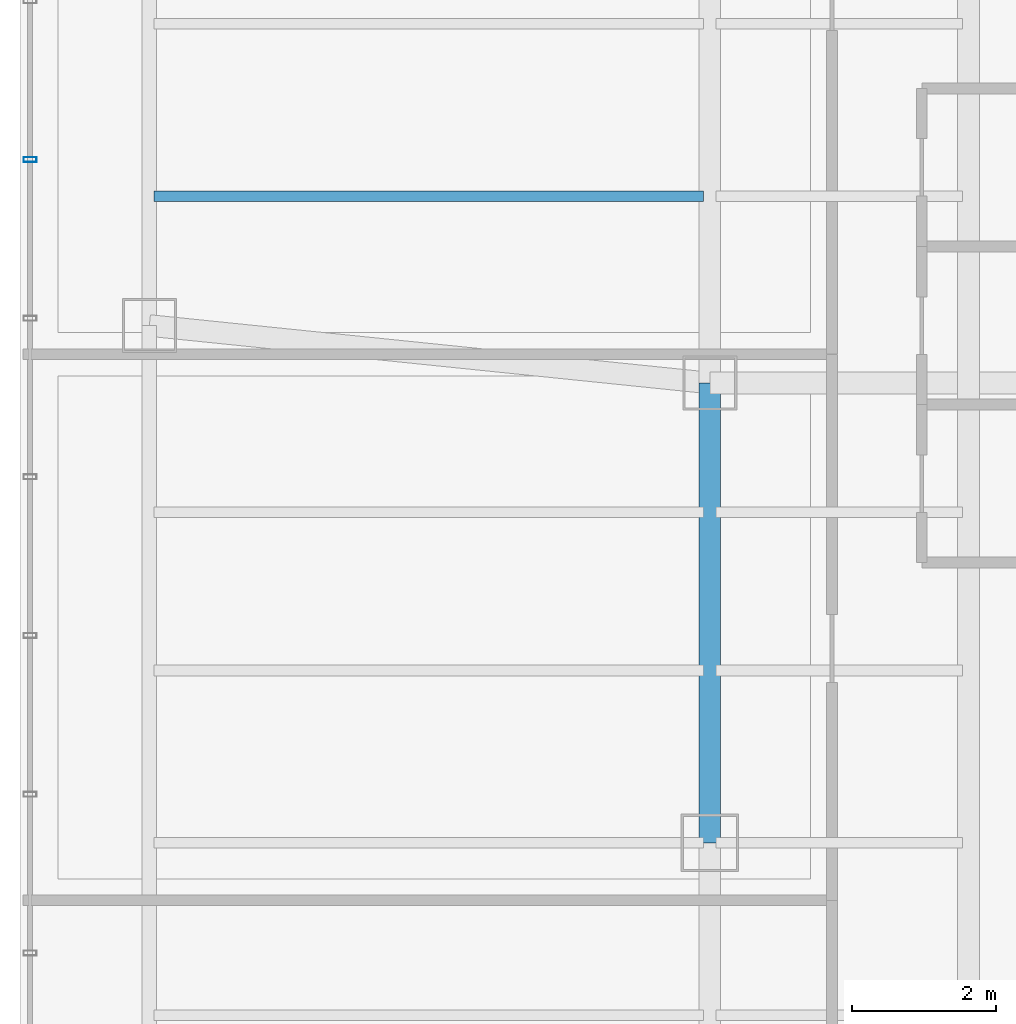
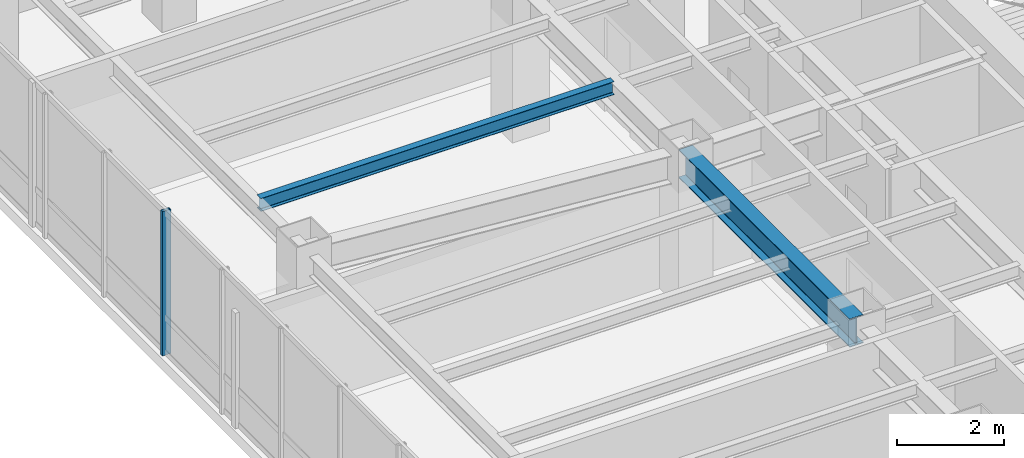
# One storey, part 11 of 29: 2 beams, 1 member, 1 element without a shape of its own.
"""IFC4 building model written with IfcOpenShell, lengths in metres."""

from ifc_helpers import new_model, si_unit, direction, frame, origin, origin_2d, place, context, subcontext, project, spatial, hollow_rectangle, i_section, extrude, material, layer, layer_set, material_profile, profile_set, type_object, element, aggregate, save


model = new_model("IFC4")

# Units and contexts
model_context = context("Model", 3, precision=1e-05, world=origin(), true_north=direction((0.0, 1.0)))
body_context = subcontext(model_context, "Body", "Model", "MODEL_VIEW")
ifc_project = project(units=[si_unit("LENGTHUNIT", "METRE"), si_unit("AREAUNIT", "SQUARE_METRE"), si_unit("VOLUMEUNIT", "CUBIC_METRE"), si_unit("PLANEANGLEUNIT", "RADIAN"), si_unit("MASSUNIT", "GRAM", prefix="KILO")], contexts=[model_context])

# Site, building, storey
site_placement = place(None, origin())
site = spatial("IfcSite", under=ifc_project, at=site_placement, CompositionType="ELEMENT")
building_placement = place(site_placement, origin())
building = spatial("IfcBuilding", under=site, at=building_placement, Name="Hatsunagi Terrace Concourse", CompositionType="ELEMENT")
storey_placement = place(building_placement, frame((0.0, 0.0, 178.050048828125)))
storey = spatial("IfcBuildingStorey", under=building, at=storey_placement, Name="L47", CompositionType="ELEMENT", Elevation=178.050048828125)

# Curtain wall, member
ifc_material_1 = material(Name="Anodised Aluminium Alloy 6063-T5", Category="aluminium")
ifc_layer = layer(ifc_material_1, 0.199951171875)
ifc_layer_set = layer_set([ifc_layer], Name="OfficeZone1_CW03")
curtain_wall_type = type_object("IfcCurtainWallType", Name="OfficeZone1_CW03", PredefinedType="NOTDEFINED", material=ifc_layer_set)
curtain_wall_placement = place(storey_placement, origin())
curtain_wall = element("IfcCurtainWall", 1, at=curtain_wall_placement, inside=storey, type_object=curtain_wall_type, Name="Unitised Curtain Wall CW-03 CW-L47-09", PredefinedType="NOTDEFINED")
ifc_material_2 = material(Name="Anodised Aluminium Alloy 6063-T5", Category="aluminium")
ifc_material_profile_1 = material_profile(ifc_material_2, hollow_rectangle(XDim=0.070068359375, YDim=0.179931640625, WallThickness=0.00390625, at=origin_2d()), Name="ALU-MUL-180x70x4")
ifc_profile_set_1 = profile_set([ifc_material_profile_1], Name="Anodised Aluminium Alloy 6063-T5")
member_type = type_object("IfcMemberType", Name="CurtainWallMullion_180x70", PredefinedType="MULLION", material=ifc_profile_set_1)
member_placement = place(storey_placement, frame((9.739990234375, 39.10791015625, 0.0), z_axis=(0.0, 0.0, 1.0), x_axis=(0.0, 1.0, 0.0)))
member = element("IfcMember", 2, at=member_placement, type_object=member_type, Name="Curtain Wall Mullion MUL-02", PredefinedType="MULLION", context=body_context, shape_type="SweptSolid", body=[
    extrude(hollow_rectangle(XDim=0.070068359375, YDim=0.179931640625, WallThickness=0.00390625, at=origin_2d()), origin(), (0.0, 0.0, 1.0), 3.300048828125),
])
aggregate(curtain_wall, [member])

# Beams
ifc_material_3 = material(Name="Steel SN490B", Category="steel")
ifc_material_profile_2 = material_profile(ifc_material_3, i_section(OverallWidth=0.14990234375, OverallDepth=0.300048828125, WebThickness=0.006591796875, FlangeThickness=0.009033203125, FilletRadius=0.010986328125, at=origin_2d()), Name="H-300x150x6.5x9")
ifc_profile_set_2 = profile_set([ifc_material_profile_2], Name="Steel SN490B")
beam_type_1 = type_object("IfcBeamType", Name="OfficeJoist_H_300x150", PredefinedType="JOIST", material=ifc_profile_set_2)
beam_1_placement = place(storey_placement, frame((11.465087890625, 38.60009765625, 3.14990234375), z_axis=(1.0, 0.0, 0.0), x_axis=(0.0, 1.0, 0.0)))
element("IfcBeam", 3, at=beam_1_placement, inside=storey, type_object=beam_type_1, Name="Beam J-03 J-L47-W-11-386", PredefinedType="JOIST", context=body_context, shape_type="SweptSolid", body=[
    extrude(i_section(OverallWidth=0.14990234375, OverallDepth=0.300048828125, WebThickness=0.006591796875, FlangeThickness=0.009033203125, FilletRadius=0.010986328125, at=origin_2d()), origin(), (0.0, 0.0, 1.0), 7.64990234375),
])
ifc_material_4 = material(Name="Steel SN490B", Category="steel")
ifc_material_profile_3 = material_profile(ifc_material_4, i_section(OverallWidth=0.300048828125, OverallDepth=0.64990234375, WebThickness=0.012939453125, FlangeThickness=0.02197265625, FilletRadius=0.01806640625, at=origin_2d()), Name="H-650x300x13x22")
ifc_profile_set_3 = profile_set([ifc_material_profile_3], Name="Steel SN490B")
beam_type_2 = type_object("IfcBeamType", Name="OfficeLowGirder_H_650x300", PredefinedType="BEAM", material=ifc_profile_set_3)
beam_2_placement = place(storey_placement, frame((19.199951171875, 29.60009765625, 2.974853515625), z_axis=(0.0, 1.0, 0.0), x_axis=(-1.0, 0.0, 0.0)))
element("IfcBeam", 4, at=beam_2_placement, inside=storey, type_object=beam_type_2, Name="Beam G-05 BM-L47-NS-19-29", PredefinedType="BEAM", context=body_context, shape_type="SweptSolid", body=[
    extrude(i_section(OverallWidth=0.300048828125, OverallDepth=0.64990234375, WebThickness=0.012939453125, FlangeThickness=0.02197265625, FilletRadius=0.01806640625, at=origin_2d()), origin(), (0.0, 0.0, 1.0), 6.39990234375),
])

save(model, "model.ifc")
